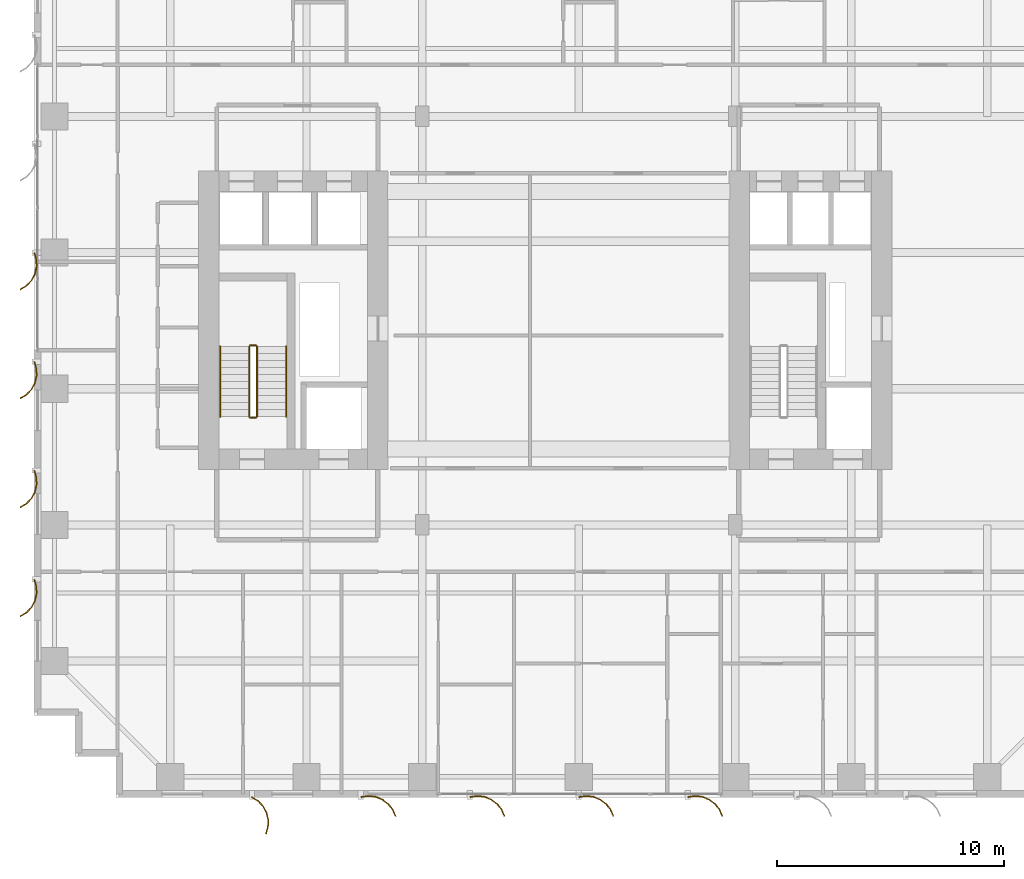
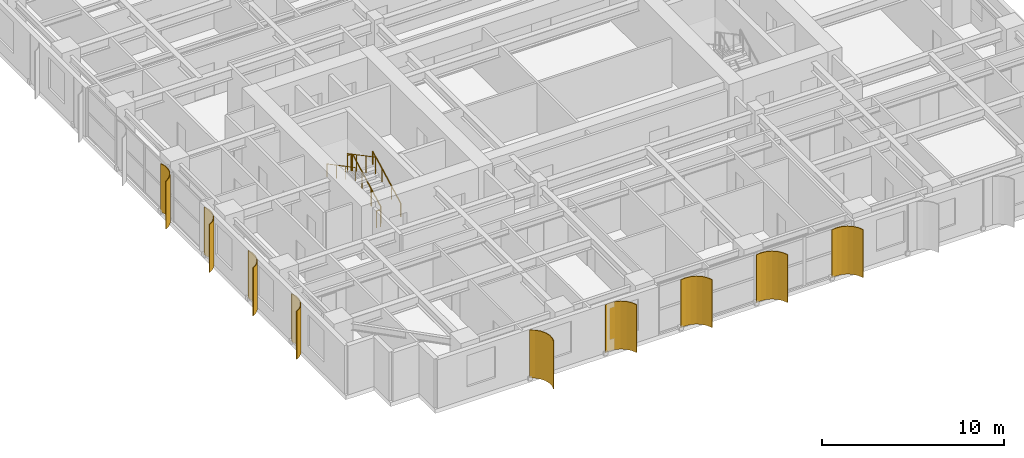
# One storey, part 20 of 23: 9 shading devices, 6 railings.
"""IFC4 building model written with IfcOpenShell, lengths in metres."""

from ifc_helpers import new_model, si_unit, direction, frame, origin, origin_2d, place, context, subcontext, project, spatial, polyline, circle, outline, extrude, source, transform, mapped, material, layer, layer_set, type_object, element, save


model = new_model("IFC4")

# Units and contexts
model_context = context("Model", 3, precision=1e-05, world=origin(), true_north=direction((0.0, 1.0)))
body_context = subcontext(model_context, "Body", "Model", "MODEL_VIEW")
ifc_project = project(units=[si_unit("LENGTHUNIT", "METRE"), si_unit("AREAUNIT", "SQUARE_METRE"), si_unit("VOLUMEUNIT", "CUBIC_METRE"), si_unit("PLANEANGLEUNIT", "RADIAN"), si_unit("MASSUNIT", "GRAM", prefix="KILO")], contexts=[model_context])

# Site, building, storey
site_placement = place(None, origin())
site = spatial("IfcSite", under=ifc_project, at=site_placement, CompositionType="ELEMENT")
building_placement = place(site_placement, origin())
building = spatial("IfcBuilding", under=site, at=building_placement, Name="Khoralis Quay Care Tower", CompositionType="ELEMENT")
storey_placement = place(building_placement, frame((0.0, 0.0, 72.89990234375)))
storey = spatial("IfcBuildingStorey", under=building, at=storey_placement, Name="L19", CompositionType="ELEMENT", Elevation=72.89990234375)

# Railings
ifc_material_1 = material(Name="Brushed stainless steel", Category="steel")
railing_type_1 = type_object("IfcRailingType", Name="RL-GUARD-1150", PredefinedType="GUARDRAIL", material=ifc_material_1)
railing_1_placement = place(storey_placement, frame((9.820068359375, 16.77001953125, 0.163818359375)))
element("IfcRailing", 1, at=railing_1_placement, inside=storey, type_object=railing_type_1, Name="L19 ST-T1 stair guard 1", PredefinedType="GUARDRAIL", context=body_context, shape_type="SweptSolid", body=[
    extrude(circle(Radius=0.02392578125, at=origin_2d()), frame((0.0, 0.0, 1.1259765625), z_axis=(0.0, 0.884376766648, 0.46677375099), x_axis=(-1.0, 0.0, 0.0)), (0.0, 0.0, 1.0), 3.50537109375),
    extrude(circle(Radius=0.02099609375, at=origin_2d()), origin(), (0.0, 0.0, 1.0), 1.101806640625),
    extrude(circle(Radius=0.02099609375, at=origin_2d()), frame((0.0, 1.033447265625, 0.54541015625)), (0.0, 0.0, 1.0), 1.101806640625),
    extrude(circle(Radius=0.02099609375, at=origin_2d()), frame((0.0, 2.066650390625, 1.0908203125)), (0.0, 0.0, 1.0), 1.101806640625),
    extrude(circle(Radius=0.02099609375, at=origin_2d()), frame((0.0, 3.10009765625, 1.63623046875)), (0.0, 0.0, 1.0), 1.101806640625),
])
railing_2_placement = place(storey_placement, frame((9.77001953125, 19.919921875, 1.800048828125)))
element("IfcRailing", 2, at=railing_2_placement, inside=storey, type_object=railing_type_1, Name="L19 ST-T1 stair guard 2", PredefinedType="GUARDRAIL", context=body_context, shape_type="SweptSolid", body=[
    extrude(circle(Radius=0.02392578125, at=origin_2d()), frame((0.0, 0.0, 1.1259765625), z_axis=(-1.0, 0.0, 0.0), x_axis=(0.0, -1.0, 0.0)), (0.0, 0.0, 1.0), 0.239990234375),
    extrude(circle(Radius=0.02099609375, at=origin_2d()), origin(), (0.0, 0.0, 1.0), 1.101806640625),
    extrude(circle(Radius=0.02099609375, at=origin_2d()), frame((-0.239990234375, 0.0, 0.0)), (0.0, 0.0, 1.0), 1.101806640625),
])
railing_3_placement = place(storey_placement, frame((9.47998046875, 19.8701171875, 1.963623046875)))
element("IfcRailing", 3, at=railing_3_placement, inside=storey, type_object=railing_type_1, Name="L19 ST-T1 stair guard 3", PredefinedType="GUARDRAIL", context=body_context, shape_type="SweptSolid", body=[
    extrude(circle(Radius=0.02392578125, at=origin_2d()), frame((0.0, 0.0, 1.1259765625), z_axis=(0.0, -0.884348015382, 0.466828220752), x_axis=(1.0, 0.0, 0.0)), (0.0, 0.0, 1.0), 3.505615234375),
    extrude(circle(Radius=0.02099609375, at=origin_2d()), origin(), (0.0, 0.0, 1.0), 1.101806640625),
    extrude(circle(Radius=0.02099609375, at=origin_2d()), frame((0.0, -1.033447265625, 0.54541015625)), (0.0, 0.0, 1.0), 1.101806640625),
    extrude(circle(Radius=0.02099609375, at=origin_2d()), frame((0.0, -2.066650390625, 1.091064453125)), (0.0, 0.0, 1.0), 1.101806640625),
    extrude(circle(Radius=0.02099609375, at=origin_2d()), frame((0.0, -3.10009765625, 1.636474609375)), (0.0, 0.0, 1.0), 1.101806640625),
])
railing_4_placement = place(storey_placement, frame((9.77001953125, 16.719970703125, 0.0)))
element("IfcRailing", 4, at=railing_4_placement, inside=storey, type_object=railing_type_1, Name="L19 ST-T1 stair guard 4", PredefinedType="GUARDRAIL", context=body_context, shape_type="SweptSolid", body=[
    extrude(circle(Radius=0.02392578125, at=origin_2d()), frame((0.0, 0.0, 1.1259765625), z_axis=(-1.0, 0.0, 0.0), x_axis=(0.0, -1.0, 0.0)), (0.0, 0.0, 1.0), 0.239990234375),
    extrude(circle(Radius=0.02099609375, at=origin_2d()), origin(), (0.0, 0.0, 1.0), 1.101806640625),
    extrude(circle(Radius=0.02099609375, at=origin_2d()), frame((-0.239990234375, 0.0, 0.0)), (0.0, 0.0, 1.0), 1.101806640625),
])
railing_type_2 = type_object("IfcRailingType", Name="RL-HAND-900", PredefinedType="HANDRAIL", material=ifc_material_1)
railing_5_placement = place(storey_placement, frame((11.10009765625, 16.77001953125, 0.163818359375)))
element("IfcRailing", 5, at=railing_5_placement, inside=storey, type_object=railing_type_2, Name="L19 ST-T1 stair handrail 1", PredefinedType="HANDRAIL", context=body_context, shape_type="SweptSolid", body=[
    extrude(circle(Radius=0.02392578125, at=origin_2d()), frame((0.0, 0.0, 0.8759765625), z_axis=(0.0, 0.884376766648, 0.46677375099), x_axis=(-1.0, 0.0, 0.0)), (0.0, 0.0, 1.0), 3.50537109375),
    extrude(circle(Radius=0.02099609375, at=origin_2d()), origin(), (0.0, 0.0, 1.0), 0.851806640625),
    extrude(circle(Radius=0.02099609375, at=origin_2d()), frame((0.0, 1.033447265625, 0.54541015625)), (0.0, 0.0, 1.0), 0.851806640625),
    extrude(circle(Radius=0.02099609375, at=origin_2d()), frame((0.0, 2.066650390625, 1.0908203125)), (0.0, 0.0, 1.0), 0.851806640625),
    extrude(circle(Radius=0.02099609375, at=origin_2d()), frame((0.0, 3.10009765625, 1.63623046875)), (0.0, 0.0, 1.0), 0.851806640625),
])
railing_6_placement = place(storey_placement, frame((8.199951171875, 19.8701171875, 1.963623046875)))
element("IfcRailing", 6, at=railing_6_placement, inside=storey, type_object=railing_type_2, Name="L19 ST-T1 stair handrail 2", PredefinedType="HANDRAIL", context=body_context, shape_type="SweptSolid", body=[
    extrude(circle(Radius=0.02392578125, at=origin_2d()), frame((0.0, 0.0, 0.8759765625), z_axis=(0.0, -0.884348015382, 0.466828220752), x_axis=(1.0, 0.0, 0.0)), (0.0, 0.0, 1.0), 3.505615234375),
    extrude(circle(Radius=0.02099609375, at=origin_2d()), origin(), (0.0, 0.0, 1.0), 0.851806640625),
    extrude(circle(Radius=0.02099609375, at=origin_2d()), frame((0.0, -1.033447265625, 0.54541015625)), (0.0, 0.0, 1.0), 0.851806640625),
    extrude(circle(Radius=0.02099609375, at=origin_2d()), frame((0.0, -2.066650390625, 1.091064453125)), (0.0, 0.0, 1.0), 0.851806640625),
    extrude(circle(Radius=0.02099609375, at=origin_2d()), frame((0.0, -3.10009765625, 1.636474609375)), (0.0, 0.0, 1.0), 0.851806640625),
])

# Shading devices
ifc_material_2 = material(Name="Brushed pale anodised aluminium", Category="aluminium")
ifc_layer = layer(ifc_material_2, 0.044921875)
ifc_layer_set = layer_set([ifc_layer], Name="Brushed pale anodised aluminium")
shading_device_type = type_object("IfcShadingDeviceType", Name="SHD-FIN-1250", PredefinedType="USERDEFINED", material=ifc_layer_set)
shared_shape_1 = source(origin(), body_context, "Body", "SweptSolid", [
    extrude(outline(polyline([(0.0, 0.0), (0.17041015625, 0.2783203125), (0.4072265625, 0.5029296875), (0.694091796875, 0.658447265625), (1.01123046875, 0.734619140625), (1.33740234375, 0.72607421875), (1.650390625, 0.633544921875), (1.632080078125, 0.59228515625), (1.330322265625, 0.681640625), (1.015869140625, 0.68994140625), (0.710205078125, 0.616455078125), (0.43359375, 0.466552734375), (0.20556640625, 0.25), (0.041015625, -0.018310546875), (0.0, 0.0)])), origin(), (0.0, 0.0, 1.0), 3.219970703125),
])
shading_device_placement = place(storey_placement, frame((9.60009765625, 0.030029296875, 0.02001953125), z_axis=(0.0, 0.0, 1.0), x_axis=(0.0, -1.0, 0.0)))
element("IfcShadingDevice", 7, at=shading_device_placement, inside=storey, type_object=shading_device_type, Name="L19 Curved Solar Fin P1E0-01", ObjectType="FIN", PredefinedType="USERDEFINED", context=body_context, shape_type="MappedRepresentation", body=[
    mapped(shared_shape_1, transform((0.0, 0.0, 0.0), scale=1.0)),
])
shared_shape_2 = source(origin(), body_context, "Body", "SweptSolid", [
    extrude(outline(polyline([(0.0, 0.0), (-0.04833984375, 0.32275390625), (-0.01123046875, 0.64697265625), (0.1083984375, 0.950439453125), (0.302490234375, 1.212890625), (0.557861328125, 1.416015625), (0.85693359375, 1.546142578125), (0.869384765625, 1.5029296875), (0.5810546875, 1.37744140625), (0.334716796875, 1.181640625), (0.147705078125, 0.9287109375), (0.032470703125, 0.635986328125), (-0.003173828125, 0.323486328125), (0.043212890625, 0.012451171875), (0.0, 0.0)])), origin(), (0.0, 0.0, 1.0), 3.219970703125),
])
for number, where, z_axis, x_axis, name in (
    (8, (14.39990234375, 0.030029296875, 0.02001953125), (0.0, 0.0, 1.0), (0.0, -1.0, 0.0), "L19 Curved Solar Fin P1E0-02"),
    (9, (19.199951171875, 0.030029296875, 0.02001953125), (0.0, 0.0, 1.0), (0.0, -1.0, 0.0), "L19 Curved Solar Fin P1E0-03"),
    (10, (24.0, 0.030029296875, 0.02001953125), (0.0, 0.0, 1.0), (0.0, -1.0, 0.0), "L19 Curved Solar Fin P1E0-04"),
    (11, (28.800048828125, 0.030029296875, 0.02001953125), (0.0, 0.0, 1.0), (0.0, -1.0, 0.0), "L19 Curved Solar Fin P1E0-05"),
):
    element("IfcShadingDevice", number, at=place(storey_placement, frame(where, z_axis=z_axis, x_axis=x_axis)), inside=storey, type_object=shading_device_type, Name=name, ObjectType="FIN", PredefinedType="USERDEFINED", context=body_context, shape_type="MappedRepresentation", body=[
        mapped(shared_shape_2, transform((0.0, 0.0, 0.0), scale=1.0)),
    ])
shared_shape_3 = source(origin(), body_context, "Body", "SweptSolid", [
    extrude(outline(polyline([(0.0, 0.0), (-0.0927734375, 0.31298828125), (-0.101318359375, 0.63916015625), (-0.025146484375, 0.956298828125), (0.130615234375, 1.2431640625), (0.355224609375, 1.479736328125), (0.633544921875, 1.650390625), (0.65185546875, 1.609130859375), (0.383544921875, 1.44482421875), (0.1669921875, 1.216796875), (0.01708984375, 0.940185546875), (-0.056396484375, 0.63427734375), (-0.04833984375, 0.31982421875), (0.041015625, 0.018310546875), (0.0, 0.0)])), origin(), (0.0, 0.0, 1.0), 3.219970703125),
])
for number, where, z_axis, x_axis, name in (
    (12, (0.030029296875, 24.0, 0.02001953125), (0.0, 0.0, 1.0), (-1.0, 0.0, 0.0), "L19 Curved Solar Fin P1E15-04"),
    (13, (0.030029296875, 19.199951171875, 0.02001953125), (0.0, 0.0, 1.0), (-1.0, 0.0, 0.0), "L19 Curved Solar Fin P1E15-05"),
    (14, (0.030029296875, 14.39990234375, 0.02001953125), (0.0, 0.0, 1.0), (-1.0, 0.0, 0.0), "L19 Curved Solar Fin P1E15-06"),
    (15, (0.030029296875, 9.60009765625, 0.02001953125), (0.0, 0.0, 1.0), (-1.0, 0.0, 0.0), "L19 Curved Solar Fin P1E15-07"),
):
    element("IfcShadingDevice", number, at=place(storey_placement, frame(where, z_axis=z_axis, x_axis=x_axis)), inside=storey, type_object=shading_device_type, Name=name, ObjectType="FIN", PredefinedType="USERDEFINED", context=body_context, shape_type="MappedRepresentation", body=[
        mapped(shared_shape_3, transform((0.0, 0.0, 0.0), scale=1.0)),
    ])

save(model, "model.ifc")
